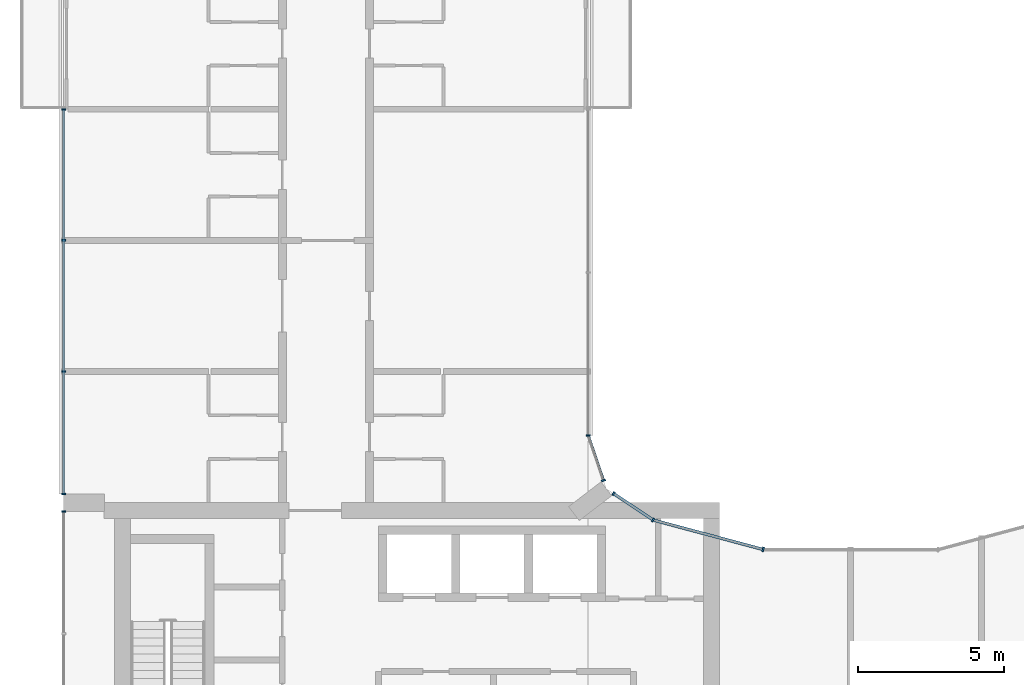
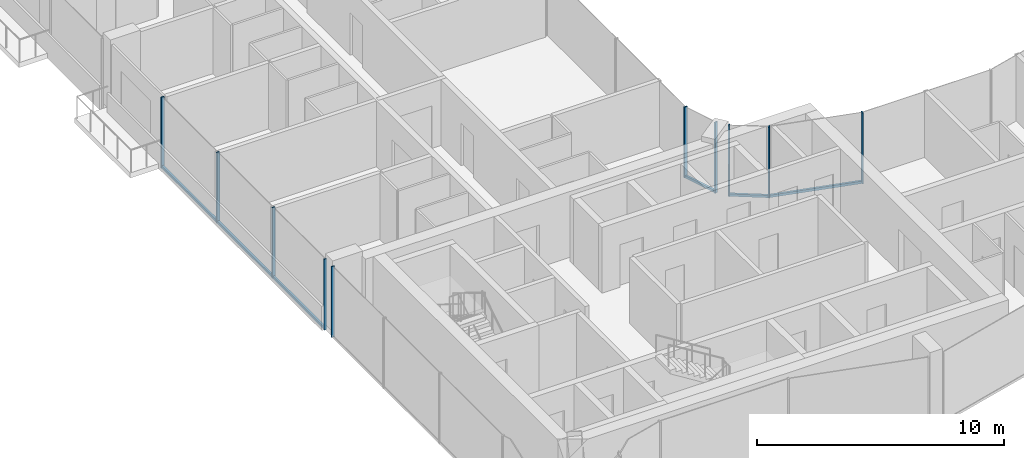
# One storey, part 4 of 15: 14 members, 6 elements without a shape of their own.
"""IFC4 building model written with IfcOpenShell, lengths in metres."""

from ifc_helpers import new_model, si_unit, direction, frame, origin, origin_2d, place, context, subcontext, project, spatial, rectangle, extrude, material, layer, layer_set, material_profile, profile_set, type_object, element, aggregate, save


model = new_model("IFC4")

# Units and contexts
model_context = context("Model", 3, precision=1e-05, world=origin(), true_north=direction((0.0, 1.0)))
body_context = subcontext(model_context, "Body", "Model", "MODEL_VIEW")
ifc_project = project(units=[si_unit("LENGTHUNIT", "METRE"), si_unit("AREAUNIT", "SQUARE_METRE"), si_unit("VOLUMEUNIT", "CUBIC_METRE"), si_unit("PLANEANGLEUNIT", "RADIAN"), si_unit("MASSUNIT", "GRAM", prefix="KILO")], contexts=[model_context])

# Site, building, storey
site_placement = place(None, origin())
site = spatial("IfcSite", under=ifc_project, at=site_placement, CompositionType="ELEMENT")
building_placement = place(site_placement, origin())
building = spatial("IfcBuilding", under=site, at=building_placement, Name="Plateau Cross Towers", CompositionType="ELEMENT")
storey_placement = place(building_placement, frame((0.0, 0.0, 197.89990234375)))
storey = spatial("IfcBuildingStorey", under=building, at=storey_placement, Name="L51", CompositionType="ELEMENT", Elevation=197.89990234375)

# Curtain wall, members
ifc_material_1 = material(Name="Dark low-iron glass", Category="glass")
ifc_layer_1 = layer(ifc_material_1, 0.239990234375)
ifc_layer_set_1 = layer_set([ifc_layer_1], Name="Dark low-iron glass")
curtain_wall_type_1 = type_object("IfcCurtainWallType", Name="Curtain wall flush unitised CW-B", PredefinedType="NOTDEFINED", material=ifc_layer_set_1)
curtain_wall_1_placement = place(storey_placement, origin())
curtain_wall_1 = element("IfcCurtainWall", 1, at=curtain_wall_1_placement, inside=storey, type_object=curtain_wall_type_1, Name="ENV/A/L51/A202_174", PredefinedType="NOTDEFINED")
ifc_material_2 = material(Name="Black anodised aluminium", Category="aluminium")
ifc_material_profile_1 = material_profile(ifc_material_2, rectangle(XDim=0.06005859375, YDim=0.139892578125, at=origin_2d()), Name="MULLION 60x140")
ifc_profile_set_1 = profile_set([ifc_material_profile_1], Name="Black anodised aluminium")
member_type_1 = type_object("IfcMemberType", Name="Mullion 60x140 flush unitised", PredefinedType="MULLION", material=ifc_profile_set_1)
member_1_placement = place(storey_placement, frame((20.223876953125, 17.404296875, -0.25), z_axis=(0.0, 0.0, 1.0), x_axis=(-0.831521253329, 0.555492938984, 0.0)))
member_1 = element("IfcMember", 2, at=member_1_placement, type_object=member_type_1, Name="CW-B mullion 1", PredefinedType="MULLION", context=body_context, shape_type="SweptSolid", body=[
    extrude(rectangle(XDim=0.06005859375, YDim=0.139892578125, at=origin_2d()), origin(), (0.0, 0.0, 1.0), 3.5),
])
member_2_placement = place(storey_placement, frame((18.86962890625, 18.30908203125, -0.25), z_axis=(0.0, 0.0, 1.0), x_axis=(-0.831521253329, 0.555492938984, 0.0)))
member_2 = element("IfcMember", 3, at=member_2_placement, type_object=member_type_1, Name="CW-B mullion 2", PredefinedType="MULLION", context=body_context, shape_type="SweptSolid", body=[
    extrude(rectangle(XDim=0.06005859375, YDim=0.139892578125, at=origin_2d()), origin(), (0.0, 0.0, 1.0), 3.5),
])

# Curtain wall, member
curtain_wall_2_placement = place(storey_placement, origin())
curtain_wall_2 = element("IfcCurtainWall", 4, at=curtain_wall_2_placement, inside=storey, type_object=curtain_wall_type_1, Name="ENV/A/L51/A185_188", PredefinedType="NOTDEFINED")
member_3_placement = place(storey_placement, frame((18.523681640625, 18.760009765625, -0.25), z_axis=(0.0, 0.0, 1.0), x_axis=(-0.321469161574, 0.94692004845, 0.0)))
member_3 = element("IfcMember", 5, at=member_3_placement, type_object=member_type_1, Name="CW-B mullion 1", PredefinedType="MULLION", context=body_context, shape_type="SweptSolid", body=[
    extrude(rectangle(XDim=0.06005859375, YDim=0.139892578125, at=origin_2d()), origin(), (0.0, 0.0, 1.0), 3.5),
])

curtain_wall_3_placement = place(storey_placement, origin())
curtain_wall_3 = element("IfcCurtainWall", 6, at=curtain_wall_3_placement, inside=storey, type_object=curtain_wall_type_1, Name="ENV/A/L51/A180_203", PredefinedType="NOTDEFINED")
member_4_placement = place(storey_placement, frame((18.0, 20.30224609375, -0.25), z_axis=(0.0, 0.0, 1.0), x_axis=(0.0, 1.0, 0.0)))
member_4 = element("IfcMember", 7, at=member_4_placement, type_object=member_type_1, Name="CW-B mullion 1", PredefinedType="MULLION", context=body_context, shape_type="SweptSolid", body=[
    extrude(rectangle(XDim=0.06005859375, YDim=0.139892578125, at=origin_2d()), origin(), (0.0, 0.0, 1.0), 3.5),
])
aggregate(curtain_wall_3, [member_4])

# Curtain wall, members
curtain_wall_4_placement = place(storey_placement, origin())
curtain_wall_4 = element("IfcCurtainWall", 8, at=curtain_wall_4_placement, inside=storey, type_object=curtain_wall_type_1, Name="ENV/A/L51/A0_315", PredefinedType="NOTDEFINED")
member_5_placement = place(storey_placement, frame((0.0, 31.489990234375, -0.25), z_axis=(0.0, 0.0, 1.0), x_axis=(0.0, -1.0, 0.0)))
member_5 = element("IfcMember", 9, at=member_5_placement, type_object=member_type_1, Name="CW-B mullion 1", PredefinedType="MULLION", context=body_context, shape_type="SweptSolid", body=[
    extrude(rectangle(XDim=0.06005859375, YDim=0.139892578125, at=origin_2d()), origin(), (0.0, 0.0, 1.0), 3.5),
])
member_6_placement = place(storey_placement, frame((0.0, 27.0, -0.25), z_axis=(0.0, 0.0, 1.0), x_axis=(0.0, -1.0, 0.0)))
member_6 = element("IfcMember", 10, at=member_6_placement, type_object=member_type_1, Name="CW-B mullion 2", PredefinedType="MULLION", context=body_context, shape_type="SweptSolid", body=[
    extrude(rectangle(XDim=0.06005859375, YDim=0.139892578125, at=origin_2d()), origin(), (0.0, 0.0, 1.0), 3.5),
])
member_7_placement = place(storey_placement, frame((0.0, 22.5, -0.25), z_axis=(0.0, 0.0, 1.0), x_axis=(0.0, -1.0, 0.0)))
member_7 = element("IfcMember", 11, at=member_7_placement, type_object=member_type_1, Name="CW-B mullion 3", PredefinedType="MULLION", context=body_context, shape_type="SweptSolid", body=[
    extrude(rectangle(XDim=0.06005859375, YDim=0.139892578125, at=origin_2d()), origin(), (0.0, 0.0, 1.0), 3.5),
])
member_8_placement = place(storey_placement, frame((0.0, 18.300048828125, -0.25), z_axis=(0.0, 0.0, 1.0), x_axis=(0.0, -1.0, 0.0)))
member_8 = element("IfcMember", 12, at=member_8_placement, type_object=member_type_1, Name="CW-B mullion 4", PredefinedType="MULLION", context=body_context, shape_type="SweptSolid", body=[
    extrude(rectangle(XDim=0.06005859375, YDim=0.139892578125, at=origin_2d()), origin(), (0.0, 0.0, 1.0), 3.5),
])

# Curtain wall, member
curtain_wall_5_placement = place(storey_placement, origin())
curtain_wall_5 = element("IfcCurtainWall", 13, at=curtain_wall_5_placement, inside=storey, type_object=curtain_wall_type_1, Name="ENV/A/L51/A0_177", PredefinedType="NOTDEFINED")
member_9_placement = place(storey_placement, frame((0.0, 17.699951171875, -0.25), z_axis=(0.0, 0.0, 1.0), x_axis=(0.0, -1.0, 0.0)))
member_9 = element("IfcMember", 14, at=member_9_placement, type_object=member_type_1, Name="CW-B mullion 1", PredefinedType="MULLION", context=body_context, shape_type="SweptSolid", body=[
    extrude(rectangle(XDim=0.06005859375, YDim=0.139892578125, at=origin_2d()), origin(), (0.0, 0.0, 1.0), 3.5),
])
aggregate(curtain_wall_5, [member_9])

ifc_layer_2 = layer(ifc_material_1, 0.260009765625)
ifc_layer_set_2 = layer_set([ifc_layer_2], Name="Dark low-iron glass")
curtain_wall_type_2 = type_object("IfcCurtainWallType", Name="Curtain wall fluted unitised CW-A", PredefinedType="NOTDEFINED", material=ifc_layer_set_2)
curtain_wall_6_placement = place(storey_placement, origin())
curtain_wall_6 = element("IfcCurtainWall", 15, at=curtain_wall_6_placement, inside=storey, type_object=curtain_wall_type_2, Name="ENV/A/L51/A240_164", PredefinedType="NOTDEFINED")
ifc_material_profile_2 = material_profile(ifc_material_2, rectangle(XDim=0.06005859375, YDim=0.159912109375, at=origin_2d()), Name="MULLION 60x160")
ifc_profile_set_2 = profile_set([ifc_material_profile_2], Name="Black anodised aluminium")
member_type_2 = type_object("IfcMemberType", Name="Mullion 60x160 fluted unitised", PredefinedType="MULLION", material=ifc_profile_set_2)
member_10_placement = place(storey_placement, frame((24.0, 16.39306640625, -0.25), z_axis=(0.0, 0.0, 1.0), x_axis=(-0.965957995816, 0.258698956933, 0.0)))
member_10 = element("IfcMember", 16, at=member_10_placement, type_object=member_type_2, Name="CW-A mullion 1", PredefinedType="MULLION", context=body_context, shape_type="SweptSolid", body=[
    extrude(rectangle(XDim=0.06005859375, YDim=0.159912109375, at=origin_2d()), origin(), (0.0, 0.0, 1.0), 3.5),
])

# Member
ifc_material_profile_3 = material_profile(ifc_material_2, rectangle(XDim=0.10009765625, YDim=0.1201171875, at=origin_2d()), Name="TRANSOM 100x120")
ifc_profile_set_3 = profile_set([ifc_material_profile_3], Name="Black anodised aluminium")
member_type_3 = type_object("IfcMemberType", Name="Transom 100x120 flush unitised", PredefinedType="USERDEFINED", material=ifc_profile_set_3)
member_11_placement = place(storey_placement, frame((20.223876953125, 17.404296875, -0.18994140625), z_axis=(-0.831496402487, 0.555530136582, 0.0), x_axis=(-0.555530136582, -0.831496402487, 0.0)))
member_11 = element("IfcMember", 17, at=member_11_placement, type_object=member_type_3, Name="CW-B transom", ObjectType="TRANSOM", PredefinedType="USERDEFINED", context=body_context, shape_type="SweptSolid", body=[
    extrude(rectangle(XDim=0.10009765625, YDim=0.1201171875, at=origin_2d()), origin(), (0.0, 0.0, 1.0), 1.628662109375),
])

aggregate(curtain_wall_1, [member_1, member_2, member_11])

member_12_placement = place(storey_placement, frame((18.523681640625, 18.760009765625, -0.18994140625), z_axis=(-0.321529174838, 0.946899672472, 0.0), x_axis=(-0.946899672472, -0.321529174838, 0.0)))
member_12 = element("IfcMember", 18, at=member_12_placement, type_object=member_type_3, Name="CW-B transom", ObjectType="TRANSOM", PredefinedType="USERDEFINED", context=body_context, shape_type="SweptSolid", body=[
    extrude(rectangle(XDim=0.10009765625, YDim=0.1201171875, at=origin_2d()), origin(), (0.0, 0.0, 1.0), 1.628662109375),
])

aggregate(curtain_wall_2, [member_3, member_12])

member_13_placement = place(storey_placement, frame((0.0, 31.489990234375, -0.18994140625), z_axis=(0.0, -1.0, 0.0), x_axis=(1.0, 0.0, 0.0)))
member_13 = element("IfcMember", 19, at=member_13_placement, type_object=member_type_3, Name="CW-B transom", ObjectType="TRANSOM", PredefinedType="USERDEFINED", context=body_context, shape_type="SweptSolid", body=[
    extrude(rectangle(XDim=0.10009765625, YDim=0.1201171875, at=origin_2d()), origin(), (0.0, 0.0, 1.0), 13.18994140625),
])

aggregate(curtain_wall_4, [member_5, member_6, member_7, member_8, member_13])

ifc_material_profile_4 = material_profile(ifc_material_2, rectangle(XDim=0.10009765625, YDim=0.1201171875, at=origin_2d()), Name="TRANSOM 100x120")
ifc_profile_set_4 = profile_set([ifc_material_profile_4], Name="Black anodised aluminium")
member_type_4 = type_object("IfcMemberType", Name="Transom 100x120 fluted unitised", PredefinedType="USERDEFINED", material=ifc_profile_set_4)
member_14_placement = place(storey_placement, frame((24.0, 16.39306640625, -0.18994140625), z_axis=(-0.965962822393, 0.25868093427, 0.0), x_axis=(-0.25868093427, -0.965962822393, 0.0)))
member_14 = element("IfcMember", 20, at=member_14_placement, type_object=member_type_4, Name="CW-A transom", ObjectType="TRANSOM", PredefinedType="USERDEFINED", context=body_context, shape_type="SweptSolid", body=[
    extrude(rectangle(XDim=0.10009765625, YDim=0.1201171875, at=origin_2d()), origin(), (0.0, 0.0, 1.0), 3.9091796875),
])

aggregate(curtain_wall_6, [member_10, member_14])

save(model, "model.ifc")
